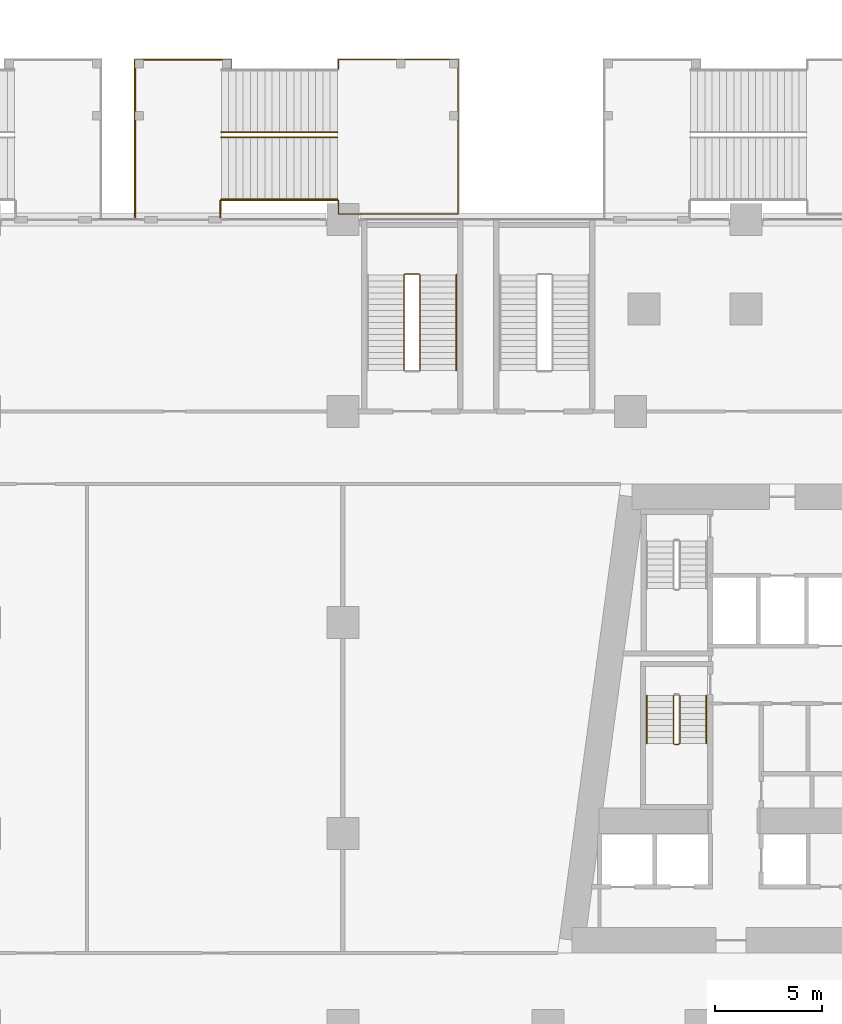
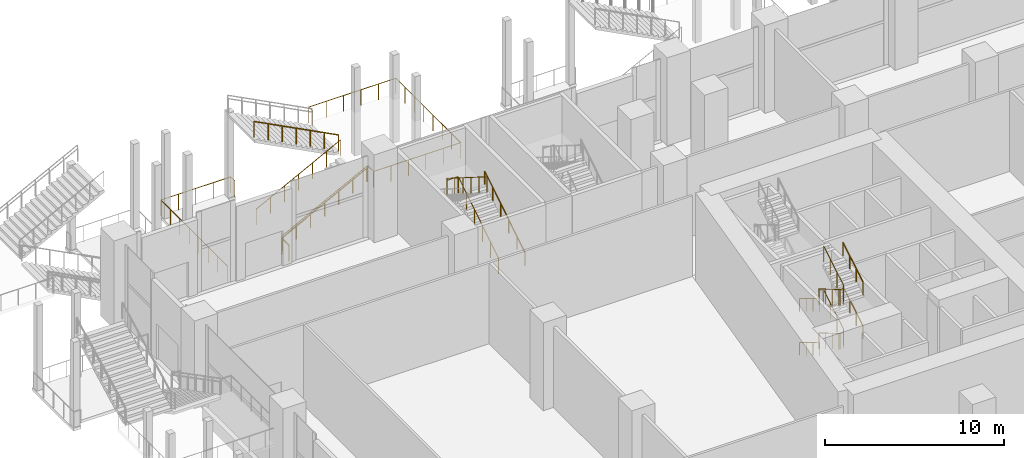
# One storey, part 41 of 49: 15 railings.
"""IFC4 building model written with IfcOpenShell, lengths in metres."""

from ifc_helpers import new_model, si_unit, direction, frame, origin, origin_2d, place, context, subcontext, project, spatial, circle, extrude, material, type_object, element, save


model = new_model("IFC4")

# Units and contexts
model_context = context("Model", 3, precision=1e-05, world=origin(), true_north=direction((0.0, 1.0)))
body_context = subcontext(model_context, "Body", "Model", "MODEL_VIEW")
ifc_project = project(units=[si_unit("LENGTHUNIT", "METRE"), si_unit("AREAUNIT", "SQUARE_METRE"), si_unit("VOLUMEUNIT", "CUBIC_METRE"), si_unit("PLANEANGLEUNIT", "RADIAN"), si_unit("MASSUNIT", "GRAM", prefix="KILO")], contexts=[model_context])

# Site, building, storey
site_placement = place(None, origin())
site = spatial("IfcSite", under=ifc_project, at=site_placement, CompositionType="ELEMENT")
building_placement = place(site_placement, origin())
building = spatial("IfcBuilding", under=site, at=building_placement, Name="Candeia Pilgrim Tower and Theatre", CompositionType="ELEMENT")
storey_placement = place(building_placement, frame((0.0, 0.0, 17.0)))
storey = spatial("IfcBuildingStorey", under=building, at=storey_placement, Name="L02", CompositionType="ELEMENT", Elevation=17.0)

# Railings
ifc_material_1 = material(Name="Stainless steel balustrade", Category="steel")
railing_type_1 = type_object("IfcRailingType", Name="RL-GUARD-1100", PredefinedType="GUARDRAIL", material=ifc_material_1)
railing_1_placement = place(storey_placement, frame((91.10205078125, 122.47509765625, 0.166748046875)))
element("IfcRailing", 1, at=railing_1_placement, inside=storey, type_object=railing_type_1, Name="L02 ST1 stair guard 1", PredefinedType="GUARDRAIL", context=body_context, shape_type="SweptSolid", body=[
    extrude(circle(Radius=0.02392578125, at=origin_2d()), frame((0.0, 0.0, 1.076171875), z_axis=(0.0, -0.859305625298, 0.511462454469), x_axis=(1.0, 0.0, 0.0)), (0.0, 0.0, 1.0), 2.606689453125),
    extrude(circle(Radius=0.02392578125, at=origin_2d()), frame((0.0, -2.239990234375, 2.4091796875), z_axis=(0.707106781187, -0.707106781187, 0.0), x_axis=(0.707106781187, 0.707106781187, 0.0)), (0.0, 0.0, 1.0), 0.07080078125),
    extrude(circle(Radius=0.02392578125, at=origin_2d()), frame((0.050048828125, -2.2900390625, 2.4091796875), z_axis=(1.0, 0.0, 0.0), x_axis=(0.0, 1.0, 0.0)), (0.0, 0.0, 1.0), 0.199951171875),
    extrude(circle(Radius=0.02392578125, at=origin_2d()), frame((0.25, -2.2900390625, 2.4091796875), z_axis=(0.27628659633, 0.27628659633, 0.920506074601), x_axis=(-0.707106781187, 0.707106781187, 0.0)), (0.0, 0.0, 1.0), 0.18115234375),
    extrude(circle(Radius=0.02392578125, at=origin_2d()), frame((0.300048828125, -2.239990234375, 2.576171875), z_axis=(0.0, 0.859305625298, 0.511462454469), x_axis=(-1.0, 0.0, 0.0)), (0.0, 0.0, 1.0), 2.606689453125),
    extrude(circle(Radius=0.02099609375, at=origin_2d()), origin(), (0.0, 0.0, 1.0), 1.052001953125),
    extrude(circle(Radius=0.02099609375, at=origin_2d()), frame((0.0, -0.74658203125, 0.4443359375)), (0.0, 0.0, 1.0), 1.052001953125),
    extrude(circle(Radius=0.02099609375, at=origin_2d()), frame((0.0, -1.493408203125, 0.888916015625)), (0.0, 0.0, 1.0), 1.052001953125),
    extrude(circle(Radius=0.02099609375, at=origin_2d()), frame((0.0, -2.239990234375, 1.333251953125)), (0.0, 0.0, 1.0), 1.052001953125),
    extrude(circle(Radius=0.02099609375, at=origin_2d()), frame((0.050048828125, -2.2900390625, 1.333251953125)), (0.0, 0.0, 1.0), 1.052001953125),
    extrude(circle(Radius=0.02099609375, at=origin_2d()), frame((0.25, -2.2900390625, 1.333251953125)), (0.0, 0.0, 1.0), 1.052001953125),
    extrude(circle(Radius=0.02099609375, at=origin_2d()), frame((0.300048828125, -2.239990234375, 1.5)), (0.0, 0.0, 1.0), 1.052001953125),
    extrude(circle(Radius=0.02099609375, at=origin_2d()), frame((0.300048828125, -1.493408203125, 1.9443359375)), (0.0, 0.0, 1.0), 1.052001953125),
    extrude(circle(Radius=0.02099609375, at=origin_2d()), frame((0.300048828125, -0.74658203125, 2.388916015625)), (0.0, 0.0, 1.0), 1.052001953125),
    extrude(circle(Radius=0.02099609375, at=origin_2d()), frame((0.300048828125, 0.0, 2.833251953125)), (0.0, 0.0, 1.0), 1.052001953125),
])
railing_2_placement = place(storey_placement, frame((91.10205078125, 122.47509765625, 3.166748046875)))
element("IfcRailing", 2, at=railing_2_placement, inside=storey, type_object=railing_type_1, Name="L02 ST1 stair guard 3", PredefinedType="GUARDRAIL", context=body_context, shape_type="SweptSolid", body=[
    extrude(circle(Radius=0.02392578125, at=origin_2d()), frame((0.0, 0.0, 1.076171875), z_axis=(0.0, -0.859305625298, 0.511462454469), x_axis=(1.0, 0.0, 0.0)), (0.0, 0.0, 1.0), 2.606689453125),
    extrude(circle(Radius=0.02392578125, at=origin_2d()), frame((0.0, -2.239990234375, 2.4091796875), z_axis=(0.707106781187, -0.707106781187, 0.0), x_axis=(0.707106781187, 0.707106781187, 0.0)), (0.0, 0.0, 1.0), 0.07080078125),
    extrude(circle(Radius=0.02392578125, at=origin_2d()), frame((0.050048828125, -2.2900390625, 2.4091796875), z_axis=(1.0, 0.0, 0.0), x_axis=(0.0, 1.0, 0.0)), (0.0, 0.0, 1.0), 0.199951171875),
    extrude(circle(Radius=0.02392578125, at=origin_2d()), frame((0.25, -2.2900390625, 2.4091796875), z_axis=(0.27628659633, 0.27628659633, 0.920506074601), x_axis=(-0.707106781187, 0.707106781187, 0.0)), (0.0, 0.0, 1.0), 0.18115234375),
    extrude(circle(Radius=0.02392578125, at=origin_2d()), frame((0.300048828125, -2.239990234375, 2.576171875), z_axis=(0.0, 0.859305625298, 0.511462454469), x_axis=(-1.0, 0.0, 0.0)), (0.0, 0.0, 1.0), 2.606689453125),
    extrude(circle(Radius=0.02099609375, at=origin_2d()), origin(), (0.0, 0.0, 1.0), 1.052001953125),
    extrude(circle(Radius=0.02099609375, at=origin_2d()), frame((0.0, -0.74658203125, 0.4443359375)), (0.0, 0.0, 1.0), 1.052001953125),
    extrude(circle(Radius=0.02099609375, at=origin_2d()), frame((0.0, -1.493408203125, 0.888916015625)), (0.0, 0.0, 1.0), 1.052001953125),
    extrude(circle(Radius=0.02099609375, at=origin_2d()), frame((0.0, -2.239990234375, 1.333251953125)), (0.0, 0.0, 1.0), 1.052001953125),
    extrude(circle(Radius=0.02099609375, at=origin_2d()), frame((0.050048828125, -2.2900390625, 1.333251953125)), (0.0, 0.0, 1.0), 1.052001953125),
    extrude(circle(Radius=0.02099609375, at=origin_2d()), frame((0.25, -2.2900390625, 1.333251953125)), (0.0, 0.0, 1.0), 1.052001953125),
    extrude(circle(Radius=0.02099609375, at=origin_2d()), frame((0.300048828125, -2.239990234375, 1.5)), (0.0, 0.0, 1.0), 1.052001953125),
    extrude(circle(Radius=0.02099609375, at=origin_2d()), frame((0.300048828125, -1.493408203125, 1.9443359375)), (0.0, 0.0, 1.0), 1.052001953125),
    extrude(circle(Radius=0.02099609375, at=origin_2d()), frame((0.300048828125, -0.74658203125, 2.388916015625)), (0.0, 0.0, 1.0), 1.052001953125),
    extrude(circle(Radius=0.02099609375, at=origin_2d()), frame((0.300048828125, 0.0, 2.833251953125)), (0.0, 0.0, 1.0), 1.052001953125),
])
railing_3_placement = place(storey_placement, frame((79.22509765625, 137.72509765625, 0.176513671875)))
element("IfcRailing", 3, at=railing_3_placement, inside=storey, type_object=railing_type_1, Name="L02 PS1 stair guard 1", PredefinedType="GUARDRAIL", context=body_context, shape_type="SweptSolid", body=[
    extrude(circle(Radius=0.02392578125, at=origin_2d()), frame((0.0, 0.0, 1.076171875), z_axis=(0.0, 0.845997938375, 0.533186166611), x_axis=(-1.0, 0.0, 0.0)), (0.0, 0.0, 1.0), 5.29541015625),
    extrude(circle(Radius=0.02392578125, at=origin_2d()), frame((0.0, 4.47998046875, 3.8994140625), z_axis=(-0.708833529934, 0.705375805398, 0.0), x_axis=(-0.705375805398, -0.708833529934, 0.0)), (0.0, 0.0, 1.0), 0.070556640625),
    extrude(circle(Radius=0.02392578125, at=origin_2d()), frame((-0.050048828125, 4.52978515625, 3.8994140625), z_axis=(-1.0, 0.0, 0.0), x_axis=(0.0, -1.0, 0.0)), (0.0, 0.0, 1.0), 0.650146484375),
    extrude(circle(Radius=0.02392578125, at=origin_2d()), frame((-0.7001953125, 4.52978515625, 3.8994140625), z_axis=(-0.262064280622, -0.262064280622, 0.928786641616), x_axis=(0.707106781187, -0.707106781187, 0.0)), (0.0, 0.0, 1.0), 0.18994140625),
    extrude(circle(Radius=0.02392578125, at=origin_2d()), frame((-0.75, 4.47998046875, 4.076171875), z_axis=(0.0, -0.845997938375, 0.533186166611), x_axis=(1.0, 0.0, 0.0)), (0.0, 0.0, 1.0), 5.29541015625),
    extrude(circle(Radius=0.02099609375, at=origin_2d()), origin(), (0.0, 0.0, 1.0), 1.052001953125),
    extrude(circle(Radius=0.02099609375, at=origin_2d()), frame((0.0, 0.89599609375, 0.564697265625)), (0.0, 0.0, 1.0), 1.052001953125),
    extrude(circle(Radius=0.02099609375, at=origin_2d()), frame((0.0, 1.7919921875, 1.12939453125)), (0.0, 0.0, 1.0), 1.052001953125),
    extrude(circle(Radius=0.02099609375, at=origin_2d()), frame((0.0, 2.68798828125, 1.694091796875)), (0.0, 0.0, 1.0), 1.052001953125),
    extrude(circle(Radius=0.02099609375, at=origin_2d()), frame((0.0, 3.583984375, 2.2587890625)), (0.0, 0.0, 1.0), 1.052001953125),
    extrude(circle(Radius=0.02099609375, at=origin_2d()), frame((0.0, 4.47998046875, 2.823486328125)), (0.0, 0.0, 1.0), 1.052001953125),
    extrude(circle(Radius=0.02099609375, at=origin_2d()), frame((-0.050048828125, 4.52978515625, 2.823486328125)), (0.0, 0.0, 1.0), 1.052001953125),
    extrude(circle(Radius=0.02099609375, at=origin_2d()), frame((-0.7001953125, 4.52978515625, 2.823486328125)), (0.0, 0.0, 1.0), 1.052001953125),
    extrude(circle(Radius=0.02099609375, at=origin_2d()), frame((-0.75, 4.47998046875, 3.0)), (0.0, 0.0, 1.0), 1.052001953125),
    extrude(circle(Radius=0.02099609375, at=origin_2d()), frame((-0.75, 3.583984375, 3.564697265625)), (0.0, 0.0, 1.0), 1.052001953125),
    extrude(circle(Radius=0.02099609375, at=origin_2d()), frame((-0.75, 2.68798828125, 4.12939453125)), (0.0, 0.0, 1.0), 1.052001953125),
    extrude(circle(Radius=0.02099609375, at=origin_2d()), frame((-0.75, 1.7919921875, 4.694091796875)), (0.0, 0.0, 1.0), 1.052001953125),
    extrude(circle(Radius=0.02099609375, at=origin_2d()), frame((-0.75, 0.89599609375, 5.2587890625)), (0.0, 0.0, 1.0), 1.052001953125),
    extrude(circle(Radius=0.02099609375, at=origin_2d()), frame((-0.75, 0.0, 5.823486328125)), (0.0, 0.0, 1.0), 1.052001953125),
])
railing_4_placement = place(storey_placement, frame((69.89990234375, 148.64990234375, 0.176513671875)))
element("IfcRailing", 4, at=railing_4_placement, inside=storey, type_object=railing_type_1, Name="L02 ES4 stair guard 1", PredefinedType="GUARDRAIL", context=body_context, shape_type="SweptSolid", body=[
    extrude(circle(Radius=0.02392578125, at=origin_2d()), frame((0.0, 0.0, 1.076171875), z_axis=(0.887577827043, 0.0, 0.460657791579), x_axis=(0.0, 1.0, 0.0)), (0.0, 0.0, 1.0), 6.129150390625),
    extrude(circle(Radius=0.02099609375, at=origin_2d()), origin(), (0.0, 0.0, 1.0), 1.052001953125),
    extrude(circle(Radius=0.02099609375, at=origin_2d()), frame((0.90673828125, 0.0, 0.470703125)), (0.0, 0.0, 1.0), 1.052001953125),
    extrude(circle(Radius=0.02099609375, at=origin_2d()), frame((1.8134765625, 0.0, 0.941162109375)), (0.0, 0.0, 1.0), 1.052001953125),
    extrude(circle(Radius=0.02099609375, at=origin_2d()), frame((2.72021484375, 0.0, 1.41162109375)), (0.0, 0.0, 1.0), 1.052001953125),
    extrude(circle(Radius=0.02099609375, at=origin_2d()), frame((3.626708984375, 0.0, 1.88232421875)), (0.0, 0.0, 1.0), 1.052001953125),
    extrude(circle(Radius=0.02099609375, at=origin_2d()), frame((4.533447265625, 0.0, 2.35302734375)), (0.0, 0.0, 1.0), 1.052001953125),
    extrude(circle(Radius=0.02099609375, at=origin_2d()), frame((5.440185546875, 0.0, 2.823486328125)), (0.0, 0.0, 1.0), 1.052001953125),
])
railing_5_placement = place(storey_placement, frame((75.340087890625, 148.89990234375, 3.176513671875)))
element("IfcRailing", 5, at=railing_5_placement, inside=storey, type_object=railing_type_1, Name="L02 ES4 stair guard 2", PredefinedType="GUARDRAIL", context=body_context, shape_type="SweptSolid", body=[
    extrude(circle(Radius=0.02392578125, at=origin_2d()), frame((0.0, 0.0, 1.076171875), z_axis=(-0.887577827043, 0.0, 0.460657791579), x_axis=(0.0, -1.0, 0.0)), (0.0, 0.0, 1.0), 6.129150390625),
    extrude(circle(Radius=0.02099609375, at=origin_2d()), origin(), (0.0, 0.0, 1.0), 1.052001953125),
    extrude(circle(Radius=0.02099609375, at=origin_2d()), frame((-0.90673828125, 0.0, 0.470703125)), (0.0, 0.0, 1.0), 1.052001953125),
    extrude(circle(Radius=0.02099609375, at=origin_2d()), frame((-1.8134765625, 0.0, 0.941162109375)), (0.0, 0.0, 1.0), 1.052001953125),
    extrude(circle(Radius=0.02099609375, at=origin_2d()), frame((-2.72021484375, 0.0, 1.41162109375)), (0.0, 0.0, 1.0), 1.052001953125),
    extrude(circle(Radius=0.02099609375, at=origin_2d()), frame((-3.626708984375, 0.0, 1.88232421875)), (0.0, 0.0, 1.0), 1.052001953125),
    extrude(circle(Radius=0.02099609375, at=origin_2d()), frame((-4.533447265625, 0.0, 2.35302734375)), (0.0, 0.0, 1.0), 1.052001953125),
    extrude(circle(Radius=0.02099609375, at=origin_2d()), frame((-5.440185546875, 0.0, 2.823486328125)), (0.0, 0.0, 1.0), 1.052001953125),
])
railing_6_placement = place(storey_placement, frame((69.89990234375, 145.699951171875, 0.176513671875)))
element("IfcRailing", 6, at=railing_6_placement, inside=storey, type_object=railing_type_1, Name="L02 ES4 stair guard 3", PredefinedType="GUARDRAIL", context=body_context, shape_type="SweptSolid", body=[
    extrude(circle(Radius=0.02392578125, at=origin_2d()), frame((0.0, 0.0, 1.076171875), z_axis=(0.887577827043, 0.0, 0.460657791579), x_axis=(0.0, 1.0, 0.0)), (0.0, 0.0, 1.0), 6.129150390625),
    extrude(circle(Radius=0.02099609375, at=origin_2d()), origin(), (0.0, 0.0, 1.0), 1.052001953125),
    extrude(circle(Radius=0.02099609375, at=origin_2d()), frame((0.90673828125, 0.0, 0.470703125)), (0.0, 0.0, 1.0), 1.052001953125),
    extrude(circle(Radius=0.02099609375, at=origin_2d()), frame((1.8134765625, 0.0, 0.941162109375)), (0.0, 0.0, 1.0), 1.052001953125),
    extrude(circle(Radius=0.02099609375, at=origin_2d()), frame((2.72021484375, 0.0, 1.41162109375)), (0.0, 0.0, 1.0), 1.052001953125),
    extrude(circle(Radius=0.02099609375, at=origin_2d()), frame((3.626708984375, 0.0, 1.88232421875)), (0.0, 0.0, 1.0), 1.052001953125),
    extrude(circle(Radius=0.02099609375, at=origin_2d()), frame((4.533447265625, 0.0, 2.35302734375)), (0.0, 0.0, 1.0), 1.052001953125),
    extrude(circle(Radius=0.02099609375, at=origin_2d()), frame((5.440185546875, 0.0, 2.823486328125)), (0.0, 0.0, 1.0), 1.052001953125),
])
railing_7_placement = place(storey_placement, frame((75.389892578125, 145.699951171875, 3.0)))
element("IfcRailing", 7, at=railing_7_placement, inside=storey, type_object=railing_type_1, Name="L02 ES4 stair guard 5", PredefinedType="GUARDRAIL", context=body_context, shape_type="SweptSolid", body=[
    extrude(circle(Radius=0.02392578125, at=origin_2d()), frame((0.0, 0.0, 1.076171875), z_axis=(0.0, -1.0, 0.0), x_axis=(1.0, 0.0, 0.0)), (0.0, 0.0, 1.0), 0.64990234375),
    extrude(circle(Radius=0.02392578125, at=origin_2d()), frame((0.0, -0.64990234375, 1.076171875), z_axis=(1.0, 0.0, 0.0), x_axis=(0.0, 1.0, 0.0)), (0.0, 0.0, 1.0), 5.6201171875),
    extrude(circle(Radius=0.02392578125, at=origin_2d()), frame((5.6201171875, -0.64990234375, 1.076171875), z_axis=(0.0, 1.0, 0.0), x_axis=(-1.0, 0.0, 0.0)), (0.0, 0.0, 1.0), 7.25),
    extrude(circle(Radius=0.02392578125, at=origin_2d()), frame((5.6201171875, 6.60009765625, 1.076171875), z_axis=(-1.0, 0.0, 0.0), x_axis=(0.0, -1.0, 0.0)), (0.0, 0.0, 1.0), 5.6201171875),
    extrude(circle(Radius=0.02392578125, at=origin_2d()), frame((0.0, 6.60009765625, 1.076171875), z_axis=(0.0, -1.0, 0.0), x_axis=(1.0, 0.0, 0.0)), (0.0, 0.0, 1.0), 0.449951171875),
    extrude(circle(Radius=0.02099609375, at=origin_2d()), origin(), (0.0, 0.0, 1.0), 1.052001953125),
    extrude(circle(Radius=0.02099609375, at=origin_2d()), frame((0.0, -0.64990234375, 0.0)), (0.0, 0.0, 1.0), 1.052001953125),
    extrude(circle(Radius=0.02099609375, at=origin_2d()), frame((1.1240234375, -0.64990234375, 0.0)), (0.0, 0.0, 1.0), 1.052001953125),
    extrude(circle(Radius=0.02099609375, at=origin_2d()), frame((2.248046875, -0.64990234375, 0.0)), (0.0, 0.0, 1.0), 1.052001953125),
    extrude(circle(Radius=0.02099609375, at=origin_2d()), frame((3.3720703125, -0.64990234375, 0.0)), (0.0, 0.0, 1.0), 1.052001953125),
    extrude(circle(Radius=0.02099609375, at=origin_2d()), frame((4.49609375, -0.64990234375, 0.0)), (0.0, 0.0, 1.0), 1.052001953125),
    extrude(circle(Radius=0.02099609375, at=origin_2d()), frame((5.6201171875, -0.64990234375, 0.0)), (0.0, 0.0, 1.0), 1.052001953125),
    extrude(circle(Radius=0.02099609375, at=origin_2d()), frame((5.6201171875, 0.3857421875, 0.0)), (0.0, 0.0, 1.0), 1.052001953125),
    extrude(circle(Radius=0.02099609375, at=origin_2d()), frame((5.6201171875, 1.421630859375, 0.0)), (0.0, 0.0, 1.0), 1.052001953125),
    extrude(circle(Radius=0.02099609375, at=origin_2d()), frame((5.6201171875, 2.457275390625, 0.0)), (0.0, 0.0, 1.0), 1.052001953125),
    extrude(circle(Radius=0.02099609375, at=origin_2d()), frame((5.6201171875, 3.492919921875, 0.0)), (0.0, 0.0, 1.0), 1.052001953125),
    extrude(circle(Radius=0.02099609375, at=origin_2d()), frame((5.6201171875, 4.528564453125, 0.0)), (0.0, 0.0, 1.0), 1.052001953125),
    extrude(circle(Radius=0.02099609375, at=origin_2d()), frame((5.6201171875, 5.564453125, 0.0)), (0.0, 0.0, 1.0), 1.052001953125),
    extrude(circle(Radius=0.02099609375, at=origin_2d()), frame((5.6201171875, 6.60009765625, 0.0)), (0.0, 0.0, 1.0), 1.052001953125),
    extrude(circle(Radius=0.02099609375, at=origin_2d()), frame((4.49609375, 6.60009765625, 0.0)), (0.0, 0.0, 1.0), 1.052001953125),
    extrude(circle(Radius=0.02099609375, at=origin_2d()), frame((3.3720703125, 6.60009765625, 0.0)), (0.0, 0.0, 1.0), 1.052001953125),
    extrude(circle(Radius=0.02099609375, at=origin_2d()), frame((2.248046875, 6.60009765625, 0.0)), (0.0, 0.0, 1.0), 1.052001953125),
    extrude(circle(Radius=0.02099609375, at=origin_2d()), frame((1.1240234375, 6.60009765625, 0.0)), (0.0, 0.0, 1.0), 1.052001953125),
    extrude(circle(Radius=0.02099609375, at=origin_2d()), frame((0.0, 6.60009765625, 0.0)), (0.0, 0.0, 1.0), 1.052001953125),
    extrude(circle(Radius=0.02099609375, at=origin_2d()), frame((0.0, 6.150146484375, 0.0)), (0.0, 0.0, 1.0), 1.052001953125),
])
railing_8_placement = place(storey_placement, frame((65.85009765625, 144.89990234375, 0.0)))
element("IfcRailing", 8, at=railing_8_placement, inside=storey, type_object=railing_type_1, Name="L02 External escape stair ES4 landing guard", PredefinedType="GUARDRAIL", context=body_context, shape_type="SweptSolid", body=[
    extrude(circle(Radius=0.02392578125, at=origin_2d()), frame((0.0, 0.0, 1.076171875), z_axis=(0.0, 1.0, 0.0), x_axis=(-1.0, 0.0, 0.0)), (0.0, 0.0, 1.0), 7.400146484375),
    extrude(circle(Radius=0.02392578125, at=origin_2d()), frame((0.0, 7.400146484375, 1.076171875), z_axis=(1.0, 0.0, 0.0), x_axis=(0.0, 1.0, 0.0)), (0.0, 0.0, 1.0), 4.5),
    extrude(circle(Radius=0.02392578125, at=origin_2d()), frame((4.5, 7.400146484375, 1.076171875), z_axis=(0.0, -1.0, 0.0), x_axis=(1.0, 0.0, 0.0)), (0.0, 0.0, 1.0), 0.449951171875),
    extrude(circle(Radius=0.02099609375, at=origin_2d()), origin(), (0.0, 0.0, 1.0), 1.052001953125),
    extrude(circle(Radius=0.02099609375, at=origin_2d()), frame((0.0, 1.05712890625, 0.0)), (0.0, 0.0, 1.0), 1.052001953125),
    extrude(circle(Radius=0.02099609375, at=origin_2d()), frame((0.0, 2.1142578125, 0.0)), (0.0, 0.0, 1.0), 1.052001953125),
    extrude(circle(Radius=0.02099609375, at=origin_2d()), frame((0.0, 3.17138671875, 0.0)), (0.0, 0.0, 1.0), 1.052001953125),
    extrude(circle(Radius=0.02099609375, at=origin_2d()), frame((0.0, 4.228759765625, 0.0)), (0.0, 0.0, 1.0), 1.052001953125),
    extrude(circle(Radius=0.02099609375, at=origin_2d()), frame((0.0, 5.285888671875, 0.0)), (0.0, 0.0, 1.0), 1.052001953125),
    extrude(circle(Radius=0.02099609375, at=origin_2d()), frame((0.0, 6.343017578125, 0.0)), (0.0, 0.0, 1.0), 1.052001953125),
    extrude(circle(Radius=0.02099609375, at=origin_2d()), frame((0.0, 7.400146484375, 0.0)), (0.0, 0.0, 1.0), 1.052001953125),
    extrude(circle(Radius=0.02099609375, at=origin_2d()), frame((1.125, 7.400146484375, 0.0)), (0.0, 0.0, 1.0), 1.052001953125),
    extrude(circle(Radius=0.02099609375, at=origin_2d()), frame((2.25, 7.400146484375, 0.0)), (0.0, 0.0, 1.0), 1.052001953125),
    extrude(circle(Radius=0.02099609375, at=origin_2d()), frame((3.375, 7.400146484375, 0.0)), (0.0, 0.0, 1.0), 1.052001953125),
    extrude(circle(Radius=0.02099609375, at=origin_2d()), frame((4.5, 7.400146484375, 0.0)), (0.0, 0.0, 1.0), 1.052001953125),
    extrude(circle(Radius=0.02099609375, at=origin_2d()), frame((4.5, 6.9501953125, 0.0)), (0.0, 0.0, 1.0), 1.052001953125),
])
railing_9_placement = place(storey_placement, frame((69.85009765625, 144.89990234375, 0.0)))
element("IfcRailing", 9, at=railing_9_placement, inside=storey, type_object=railing_type_1, Name="L02 External escape stair ES4 bridge guard", PredefinedType="GUARDRAIL", context=body_context, shape_type="SweptSolid", body=[
    extrude(circle(Radius=0.02392578125, at=origin_2d()), frame((0.0, 0.0, 1.076171875), z_axis=(0.0, 1.0, 0.0), x_axis=(-1.0, 0.0, 0.0)), (0.0, 0.0, 1.0), 0.800048828125),
    extrude(circle(Radius=0.02099609375, at=origin_2d()), origin(), (0.0, 0.0, 1.0), 1.052001953125),
    extrude(circle(Radius=0.02099609375, at=origin_2d()), frame((0.0, 0.800048828125, 0.0)), (0.0, 0.0, 1.0), 1.052001953125),
])
ifc_material_2 = material(Name="Stainless steel handrail", Category="steel")
railing_type_2 = type_object("IfcRailingType", Name="RL-HANDRAIL-900", PredefinedType="HANDRAIL", material=ifc_material_2)
railing_10_placement = place(storey_placement, frame((89.85205078125, 122.47509765625, 0.166748046875)))
element("IfcRailing", 10, at=railing_10_placement, inside=storey, type_object=railing_type_2, Name="L02 ST1 stair handrail 1", PredefinedType="HANDRAIL", context=body_context, shape_type="SweptSolid", body=[
    extrude(circle(Radius=0.02392578125, at=origin_2d()), frame((0.0, 0.0, 0.8759765625), z_axis=(0.0, -0.859305625298, 0.511462454469), x_axis=(1.0, 0.0, 0.0)), (0.0, 0.0, 1.0), 2.606689453125),
    extrude(circle(Radius=0.02099609375, at=origin_2d()), origin(), (0.0, 0.0, 1.0), 0.851806640625),
    extrude(circle(Radius=0.02099609375, at=origin_2d()), frame((0.0, -0.74658203125, 0.4443359375)), (0.0, 0.0, 1.0), 0.851806640625),
    extrude(circle(Radius=0.02099609375, at=origin_2d()), frame((0.0, -1.493408203125, 0.888916015625)), (0.0, 0.0, 1.0), 0.851806640625),
    extrude(circle(Radius=0.02099609375, at=origin_2d()), frame((0.0, -2.239990234375, 1.333251953125)), (0.0, 0.0, 1.0), 0.851806640625),
])
railing_11_placement = place(storey_placement, frame((92.652099609375, 120.235107421875, 1.666748046875)))
element("IfcRailing", 11, at=railing_11_placement, inside=storey, type_object=railing_type_2, Name="L02 ST1 stair handrail 2", PredefinedType="HANDRAIL", context=body_context, shape_type="SweptSolid", body=[
    extrude(circle(Radius=0.02392578125, at=origin_2d()), frame((0.0, 0.0, 0.8759765625), z_axis=(0.0, 0.859305625298, 0.511462454469), x_axis=(-1.0, 0.0, 0.0)), (0.0, 0.0, 1.0), 2.606689453125),
    extrude(circle(Radius=0.02099609375, at=origin_2d()), origin(), (0.0, 0.0, 1.0), 0.851806640625),
    extrude(circle(Radius=0.02099609375, at=origin_2d()), frame((0.0, 0.74658203125, 0.4443359375)), (0.0, 0.0, 1.0), 0.851806640625),
    extrude(circle(Radius=0.02099609375, at=origin_2d()), frame((0.0, 1.493408203125, 0.888916015625)), (0.0, 0.0, 1.0), 0.851806640625),
    extrude(circle(Radius=0.02099609375, at=origin_2d()), frame((0.0, 2.239990234375, 1.333251953125)), (0.0, 0.0, 1.0), 0.851806640625),
])
railing_12_placement = place(storey_placement, frame((89.85205078125, 122.47509765625, 3.166748046875)))
element("IfcRailing", 12, at=railing_12_placement, inside=storey, type_object=railing_type_2, Name="L02 ST1 stair handrail 3", PredefinedType="HANDRAIL", context=body_context, shape_type="SweptSolid", body=[
    extrude(circle(Radius=0.02392578125, at=origin_2d()), frame((0.0, 0.0, 0.8759765625), z_axis=(0.0, -0.859305625298, 0.511462454469), x_axis=(1.0, 0.0, 0.0)), (0.0, 0.0, 1.0), 2.606689453125),
    extrude(circle(Radius=0.02099609375, at=origin_2d()), origin(), (0.0, 0.0, 1.0), 0.851806640625),
    extrude(circle(Radius=0.02099609375, at=origin_2d()), frame((0.0, -0.74658203125, 0.4443359375)), (0.0, 0.0, 1.0), 0.851806640625),
    extrude(circle(Radius=0.02099609375, at=origin_2d()), frame((0.0, -1.493408203125, 0.888916015625)), (0.0, 0.0, 1.0), 0.851806640625),
    extrude(circle(Radius=0.02099609375, at=origin_2d()), frame((0.0, -2.239990234375, 1.333251953125)), (0.0, 0.0, 1.0), 0.851806640625),
])
railing_13_placement = place(storey_placement, frame((92.652099609375, 120.235107421875, 4.666748046875)))
element("IfcRailing", 13, at=railing_13_placement, inside=storey, type_object=railing_type_2, Name="L02 ST1 stair handrail 4", PredefinedType="HANDRAIL", context=body_context, shape_type="SweptSolid", body=[
    extrude(circle(Radius=0.02392578125, at=origin_2d()), frame((0.0, 0.0, 0.8759765625), z_axis=(0.0, 0.859305625298, 0.511462454469), x_axis=(-1.0, 0.0, 0.0)), (0.0, 0.0, 1.0), 2.606689453125),
    extrude(circle(Radius=0.02099609375, at=origin_2d()), origin(), (0.0, 0.0, 1.0), 0.851806640625),
    extrude(circle(Radius=0.02099609375, at=origin_2d()), frame((0.0, 0.74658203125, 0.4443359375)), (0.0, 0.0, 1.0), 0.851806640625),
    extrude(circle(Radius=0.02099609375, at=origin_2d()), frame((0.0, 1.493408203125, 0.888916015625)), (0.0, 0.0, 1.0), 0.851806640625),
    extrude(circle(Radius=0.02099609375, at=origin_2d()), frame((0.0, 2.239990234375, 1.333251953125)), (0.0, 0.0, 1.0), 0.851806640625),
])
railing_14_placement = place(storey_placement, frame((80.925048828125, 137.72509765625, 0.176513671875)))
element("IfcRailing", 14, at=railing_14_placement, inside=storey, type_object=railing_type_2, Name="L02 PS1 stair handrail 1", PredefinedType="HANDRAIL", context=body_context, shape_type="SweptSolid", body=[
    extrude(circle(Radius=0.02392578125, at=origin_2d()), frame((0.0, 0.0, 0.8759765625), z_axis=(0.0, 0.845997938375, 0.533186166611), x_axis=(-1.0, 0.0, 0.0)), (0.0, 0.0, 1.0), 5.29541015625),
    extrude(circle(Radius=0.02099609375, at=origin_2d()), origin(), (0.0, 0.0, 1.0), 0.851806640625),
    extrude(circle(Radius=0.02099609375, at=origin_2d()), frame((0.0, 0.89599609375, 0.564697265625)), (0.0, 0.0, 1.0), 0.851806640625),
    extrude(circle(Radius=0.02099609375, at=origin_2d()), frame((0.0, 1.7919921875, 1.12939453125)), (0.0, 0.0, 1.0), 0.851806640625),
    extrude(circle(Radius=0.02099609375, at=origin_2d()), frame((0.0, 2.68798828125, 1.694091796875)), (0.0, 0.0, 1.0), 0.851806640625),
    extrude(circle(Radius=0.02099609375, at=origin_2d()), frame((0.0, 3.583984375, 2.2587890625)), (0.0, 0.0, 1.0), 0.851806640625),
    extrude(circle(Radius=0.02099609375, at=origin_2d()), frame((0.0, 4.47998046875, 2.823486328125)), (0.0, 0.0, 1.0), 0.851806640625),
])
railing_15_placement = place(storey_placement, frame((69.89990234375, 145.75, 0.176513671875)))
element("IfcRailing", 15, at=railing_15_placement, inside=storey, type_object=railing_type_2, Name="L02 ES4 stair handrail 1", PredefinedType="HANDRAIL", context=body_context, shape_type="SweptSolid", body=[
    extrude(circle(Radius=0.02392578125, at=origin_2d()), frame((0.0, 0.0, 0.8759765625), z_axis=(0.887577827043, 0.0, 0.460657791579), x_axis=(0.0, 1.0, 0.0)), (0.0, 0.0, 1.0), 6.129150390625),
    extrude(circle(Radius=0.02099609375, at=origin_2d()), origin(), (0.0, 0.0, 1.0), 0.851806640625),
    extrude(circle(Radius=0.02099609375, at=origin_2d()), frame((0.90673828125, 0.0, 0.470703125)), (0.0, 0.0, 1.0), 0.851806640625),
    extrude(circle(Radius=0.02099609375, at=origin_2d()), frame((1.8134765625, 0.0, 0.941162109375)), (0.0, 0.0, 1.0), 0.851806640625),
    extrude(circle(Radius=0.02099609375, at=origin_2d()), frame((2.72021484375, 0.0, 1.41162109375)), (0.0, 0.0, 1.0), 0.851806640625),
    extrude(circle(Radius=0.02099609375, at=origin_2d()), frame((3.626708984375, 0.0, 1.88232421875)), (0.0, 0.0, 1.0), 0.851806640625),
    extrude(circle(Radius=0.02099609375, at=origin_2d()), frame((4.533447265625, 0.0, 2.35302734375)), (0.0, 0.0, 1.0), 0.851806640625),
    extrude(circle(Radius=0.02099609375, at=origin_2d()), frame((5.440185546875, 0.0, 2.823486328125)), (0.0, 0.0, 1.0), 0.851806640625),
])

save(model, "model.ifc")
